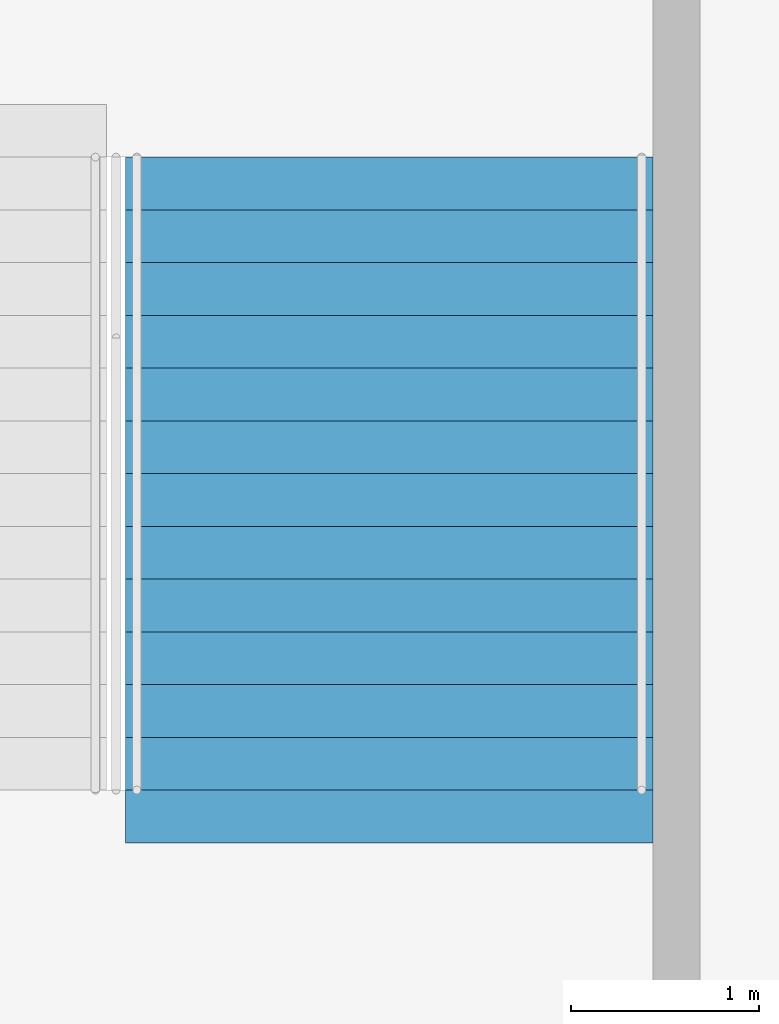
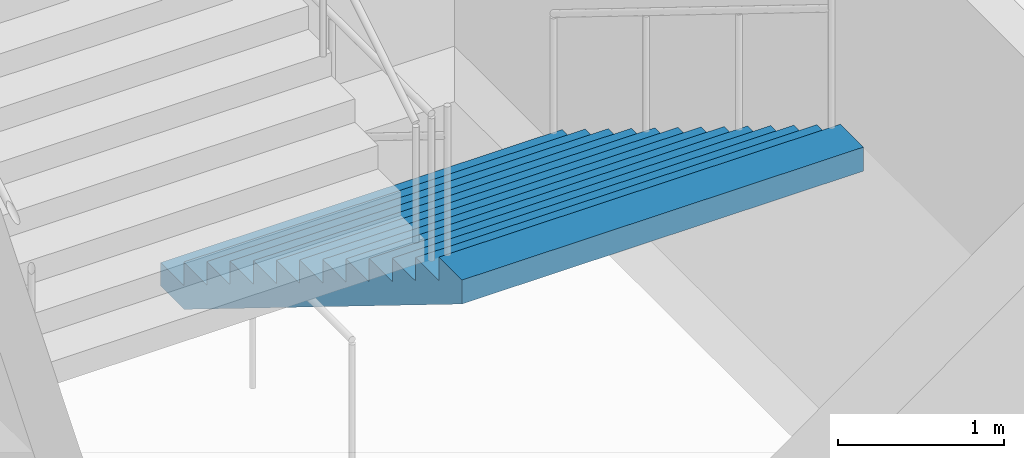
# One storey, part 62 of 175: 1 stair flight, 1 element without a shape of its own.
"""IFC4 building model written with IfcOpenShell, lengths in metres."""

from ifc_helpers import new_model, si_unit, direction, frame, origin, place, context, subcontext, project, spatial, faceted_brep, material, type_object, element, aggregate, save


model = new_model("IFC4")

# Units and contexts
model_context = context("Model", 3, precision=1e-05, world=origin(), true_north=direction((0.0, 1.0)))
body_context = subcontext(model_context, "Body", "Model", "MODEL_VIEW")
ifc_project = project(units=[si_unit("LENGTHUNIT", "METRE"), si_unit("AREAUNIT", "SQUARE_METRE"), si_unit("VOLUMEUNIT", "CUBIC_METRE"), si_unit("PLANEANGLEUNIT", "RADIAN"), si_unit("MASSUNIT", "GRAM", prefix="KILO")], contexts=[model_context])

# Site, building, storey
site_placement = place(None, origin())
site = spatial("IfcSite", under=ifc_project, at=site_placement, CompositionType="ELEMENT")
building_placement = place(site_placement, origin())
building = spatial("IfcBuilding", under=site, at=building_placement, Name="Ogive Plaza Stadium", CompositionType="ELEMENT")
storey_placement = place(building_placement, origin())
storey = spatial("IfcBuildingStorey", under=building, at=storey_placement, Name="L00", CompositionType="ELEMENT", Elevation=0.0)

# Stair, stair flight
ifc_material_1 = material(Name="Concrete C40/50", Category="concrete")
stair_type = type_object("IfcStairType", Name="Exit stair", PredefinedType="STRAIGHT_RUN_STAIR", material=ifc_material_1)
stair_placement = place(storey_placement, origin())
stair = element("IfcStair", 1, at=stair_placement, inside=storey, type_object=stair_type, Name="Exit stair ST16B L00 to L01", PredefinedType="STRAIGHT_RUN_STAIR")
ifc_material_2 = material(Name="Concrete C40/50", Category="concrete")
stair_flight_type = type_object("IfcStairFlightType", Name="Exit stair flight", PredefinedType="STRAIGHT", material=ifc_material_2)
stair_flight_placement = place(storey_placement, frame((-15.97509765625, -94.85009765625, 0.0), z_axis=(0.0, 0.0, 1.0), x_axis=(0.0, -1.0, 0.0)))
stair_flight = element("IfcStairFlight", 2, at=stair_flight_placement, type_object=stair_flight_type, Name="ST16B flight 1", NumberOfRisers=13, NumberOfTreads=12, PredefinedType="STRAIGHT", RiserHeight=0.173076923, TreadLength=0.28, context=body_context, shape_type="Brep", body=[
    faceted_brep([(0.28515625, -1.39990234375, 0.0), (3.639892578125, -1.39990234375, 2.07373046875), (3.639892578125, -1.39990234375, 2.25), (3.360107421875, -1.39990234375, 2.25), (3.360107421875, -1.39990234375, 2.076904296875), (3.080078125, -1.39990234375, 2.076904296875), (3.080078125, -1.39990234375, 1.90380859375), (2.800048828125, -1.39990234375, 1.90380859375), (2.800048828125, -1.39990234375, 1.730712890625), (2.52001953125, -1.39990234375, 1.730712890625), (2.52001953125, -1.39990234375, 1.5576171875), (2.239990234375, -1.39990234375, 1.5576171875), (2.239990234375, -1.39990234375, 1.384521484375), (1.9599609375, -1.39990234375, 1.384521484375), (1.9599609375, -1.39990234375, 1.21142578125), (1.679931640625, -1.39990234375, 1.21142578125), (1.679931640625, -1.39990234375, 1.03857421875), (1.39990234375, -1.39990234375, 1.03857421875), (1.39990234375, -1.39990234375, 0.865478515625), (1.1201171875, -1.39990234375, 0.865478515625), (1.1201171875, -1.39990234375, 0.6923828125), (0.840087890625, -1.39990234375, 0.6923828125), (0.840087890625, -1.39990234375, 0.519287109375), (0.56005859375, -1.39990234375, 0.519287109375), (0.56005859375, -1.39990234375, 0.34619140625), (0.280029296875, -1.39990234375, 0.34619140625), (0.280029296875, -1.39990234375, 0.173095703125), (0.0, -1.39990234375, 0.173095703125), (0.0, -1.39990234375, 0.0), (0.0, 1.39990234375, 0.0), (0.0, 1.39990234375, 0.173095703125), (0.280029296875, 1.39990234375, 0.173095703125), (0.280029296875, 1.39990234375, 0.34619140625), (0.56005859375, 1.39990234375, 0.34619140625), (0.56005859375, 1.39990234375, 0.519287109375), (0.840087890625, 1.39990234375, 0.519287109375), (0.840087890625, 1.39990234375, 0.6923828125), (1.1201171875, 1.39990234375, 0.6923828125), (1.1201171875, 1.39990234375, 0.865478515625), (1.39990234375, 1.39990234375, 0.865478515625), (1.39990234375, 1.39990234375, 1.03857421875), (1.679931640625, 1.39990234375, 1.03857421875), (1.679931640625, 1.39990234375, 1.21142578125), (1.9599609375, 1.39990234375, 1.21142578125), (1.9599609375, 1.39990234375, 1.384521484375), (2.239990234375, 1.39990234375, 1.384521484375), (2.239990234375, 1.39990234375, 1.5576171875), (2.52001953125, 1.39990234375, 1.5576171875), (2.52001953125, 1.39990234375, 1.730712890625), (2.800048828125, 1.39990234375, 1.730712890625), (2.800048828125, 1.39990234375, 1.90380859375), (3.080078125, 1.39990234375, 1.90380859375), (3.080078125, 1.39990234375, 2.076904296875), (3.360107421875, 1.39990234375, 2.076904296875), (3.360107421875, 1.39990234375, 2.25), (3.639892578125, 1.39990234375, 2.25), (3.639892578125, 1.39990234375, 2.07373046875), (0.28515625, 1.39990234375, 0.0), (0.28515625, -1.0888671875, 0.0), (3.639892578125, -1.0888671875, 2.07373046875), (0.28515625, -0.77783203125, 0.0), (3.639892578125, -0.77783203125, 2.07373046875), (0.28515625, -0.466796875, 0.0), (3.639892578125, -0.466796875, 2.07373046875), (0.28515625, -0.155517578125, 0.0), (3.639892578125, -0.155517578125, 2.07373046875), (0.28515625, 0.155517578125, 0.0), (3.639892578125, 0.155517578125, 2.07373046875), (0.28515625, 0.466796875, 0.0), (3.639892578125, 0.466796875, 2.07373046875), (0.28515625, 0.77783203125, 0.0), (3.639892578125, 0.77783203125, 2.07373046875), (0.28515625, 1.0888671875, 0.0), (3.639892578125, 1.0888671875, 2.07373046875), (3.639892578125, -1.0888671875, 2.25), (3.639892578125, -0.77783203125, 2.25), (3.639892578125, -0.466796875, 2.25), (3.639892578125, -0.155517578125, 2.25), (3.639892578125, 0.155517578125, 2.25), (3.639892578125, 0.466796875, 2.25), (3.639892578125, 0.77783203125, 2.25), (3.639892578125, 1.0888671875, 2.25), (3.360107421875, -1.0888671875, 2.25), (3.360107421875, -0.77783203125, 2.25), (3.360107421875, -0.466796875, 2.25), (3.360107421875, -0.155517578125, 2.25), (3.360107421875, 0.155517578125, 2.25), (3.360107421875, 0.466796875, 2.25), (3.360107421875, 0.77783203125, 2.25), (3.360107421875, 1.0888671875, 2.25), (3.360107421875, -1.0888671875, 2.076904296875), (3.360107421875, -0.77783203125, 2.076904296875), (3.360107421875, -0.466796875, 2.076904296875), (3.360107421875, -0.155517578125, 2.076904296875), (3.360107421875, 0.155517578125, 2.076904296875), (3.360107421875, 0.466796875, 2.076904296875), (3.360107421875, 0.77783203125, 2.076904296875), (3.360107421875, 1.0888671875, 2.076904296875), (3.080078125, -1.0888671875, 2.076904296875), (3.080078125, -0.77783203125, 2.076904296875), (3.080078125, -0.466796875, 2.076904296875), (3.080078125, -0.155517578125, 2.076904296875), (3.080078125, 0.155517578125, 2.076904296875), (3.080078125, 0.466796875, 2.076904296875), (3.080078125, 0.77783203125, 2.076904296875), (3.080078125, 1.0888671875, 2.076904296875), (3.080078125, -1.0888671875, 1.90380859375), (3.080078125, -0.77783203125, 1.90380859375), (3.080078125, -0.466796875, 1.90380859375), (3.080078125, -0.155517578125, 1.90380859375), (3.080078125, 0.155517578125, 1.90380859375), (3.080078125, 0.466796875, 1.90380859375), (3.080078125, 0.77783203125, 1.90380859375), (3.080078125, 1.0888671875, 1.90380859375), (2.800048828125, -1.0888671875, 1.90380859375), (2.800048828125, -0.77783203125, 1.90380859375), (2.800048828125, -0.466796875, 1.90380859375), (2.800048828125, -0.155517578125, 1.90380859375), (2.800048828125, 0.155517578125, 1.90380859375), (2.800048828125, 0.466796875, 1.90380859375), (2.800048828125, 0.77783203125, 1.90380859375), (2.800048828125, 1.0888671875, 1.90380859375), (2.800048828125, -1.0888671875, 1.730712890625), (2.800048828125, -0.77783203125, 1.730712890625), (2.800048828125, -0.466796875, 1.730712890625), (2.800048828125, -0.155517578125, 1.730712890625), (2.800048828125, 0.155517578125, 1.730712890625), (2.800048828125, 0.466796875, 1.730712890625), (2.800048828125, 0.77783203125, 1.730712890625), (2.800048828125, 1.0888671875, 1.730712890625), (2.52001953125, -1.0888671875, 1.730712890625), (2.52001953125, -0.77783203125, 1.730712890625), (2.52001953125, -0.466796875, 1.730712890625), (2.52001953125, -0.155517578125, 1.730712890625), (2.52001953125, 0.155517578125, 1.730712890625), (2.52001953125, 0.466796875, 1.730712890625), (2.52001953125, 0.77783203125, 1.730712890625), (2.52001953125, 1.0888671875, 1.730712890625), (2.52001953125, -1.0888671875, 1.5576171875), (2.52001953125, -0.77783203125, 1.5576171875), (2.52001953125, -0.466796875, 1.5576171875), (2.52001953125, -0.155517578125, 1.5576171875), (2.52001953125, 0.155517578125, 1.5576171875), (2.52001953125, 0.466796875, 1.5576171875), (2.52001953125, 0.77783203125, 1.5576171875), (2.52001953125, 1.0888671875, 1.5576171875), (2.239990234375, -1.0888671875, 1.5576171875), (2.239990234375, -0.77783203125, 1.5576171875), (2.239990234375, -0.466796875, 1.5576171875), (2.239990234375, -0.155517578125, 1.5576171875), (2.239990234375, 0.155517578125, 1.5576171875), (2.239990234375, 0.466796875, 1.5576171875), (2.239990234375, 0.77783203125, 1.5576171875), (2.239990234375, 1.0888671875, 1.5576171875), (2.239990234375, -1.0888671875, 1.384521484375), (2.239990234375, -0.77783203125, 1.384521484375), (2.239990234375, -0.466796875, 1.384521484375), (2.239990234375, -0.155517578125, 1.384521484375), (2.239990234375, 0.155517578125, 1.384521484375), (2.239990234375, 0.466796875, 1.384521484375), (2.239990234375, 0.77783203125, 1.384521484375), (2.239990234375, 1.0888671875, 1.384521484375), (1.9599609375, -1.0888671875, 1.384521484375), (1.9599609375, -0.77783203125, 1.384521484375), (1.9599609375, -0.466796875, 1.384521484375), (1.9599609375, -0.155517578125, 1.384521484375), (1.9599609375, 0.155517578125, 1.384521484375), (1.9599609375, 0.466796875, 1.384521484375), (1.9599609375, 0.77783203125, 1.384521484375), (1.9599609375, 1.0888671875, 1.384521484375), (1.9599609375, -1.0888671875, 1.21142578125), (1.9599609375, -0.77783203125, 1.21142578125), (1.9599609375, -0.466796875, 1.21142578125), (1.9599609375, -0.155517578125, 1.21142578125), (1.9599609375, 0.155517578125, 1.21142578125), (1.9599609375, 0.466796875, 1.21142578125), (1.9599609375, 0.77783203125, 1.21142578125), (1.9599609375, 1.0888671875, 1.21142578125), (1.679931640625, -1.0888671875, 1.21142578125), (1.679931640625, -0.77783203125, 1.21142578125), (1.679931640625, -0.466796875, 1.21142578125), (1.679931640625, -0.155517578125, 1.21142578125), (1.679931640625, 0.155517578125, 1.21142578125), (1.679931640625, 0.466796875, 1.21142578125), (1.679931640625, 0.77783203125, 1.21142578125), (1.679931640625, 1.0888671875, 1.21142578125), (1.679931640625, -1.0888671875, 1.03857421875), (1.679931640625, -0.77783203125, 1.03857421875), (1.679931640625, -0.466796875, 1.03857421875), (1.679931640625, -0.155517578125, 1.03857421875), (1.679931640625, 0.155517578125, 1.03857421875), (1.679931640625, 0.466796875, 1.03857421875), (1.679931640625, 0.77783203125, 1.03857421875), (1.679931640625, 1.0888671875, 1.03857421875), (1.39990234375, -1.0888671875, 1.03857421875), (1.39990234375, -0.77783203125, 1.03857421875), (1.39990234375, -0.466796875, 1.03857421875), (1.39990234375, -0.155517578125, 1.03857421875), (1.39990234375, 0.155517578125, 1.03857421875), (1.39990234375, 0.466796875, 1.03857421875), (1.39990234375, 0.77783203125, 1.03857421875), (1.39990234375, 1.0888671875, 1.03857421875), (1.39990234375, -1.0888671875, 0.865478515625), (1.39990234375, -0.77783203125, 0.865478515625), (1.39990234375, -0.466796875, 0.865478515625), (1.39990234375, -0.155517578125, 0.865478515625), (1.39990234375, 0.155517578125, 0.865478515625), (1.39990234375, 0.466796875, 0.865478515625), (1.39990234375, 0.77783203125, 0.865478515625), (1.39990234375, 1.0888671875, 0.865478515625), (1.1201171875, -1.0888671875, 0.865478515625), (1.1201171875, -0.77783203125, 0.865478515625), (1.1201171875, -0.466796875, 0.865478515625), (1.1201171875, -0.155517578125, 0.865478515625), (1.1201171875, 0.155517578125, 0.865478515625), (1.1201171875, 0.466796875, 0.865478515625), (1.1201171875, 0.77783203125, 0.865478515625), (1.1201171875, 1.0888671875, 0.865478515625), (1.1201171875, -1.0888671875, 0.6923828125), (1.1201171875, -0.77783203125, 0.6923828125), (1.1201171875, -0.466796875, 0.6923828125), (1.1201171875, -0.155517578125, 0.6923828125), (1.1201171875, 0.155517578125, 0.6923828125), (1.1201171875, 0.466796875, 0.6923828125), (1.1201171875, 0.77783203125, 0.6923828125), (1.1201171875, 1.0888671875, 0.6923828125), (0.840087890625, -1.0888671875, 0.6923828125), (0.840087890625, -0.77783203125, 0.6923828125), (0.840087890625, -0.466796875, 0.6923828125), (0.840087890625, -0.155517578125, 0.6923828125), (0.840087890625, 0.155517578125, 0.6923828125), (0.840087890625, 0.466796875, 0.6923828125), (0.840087890625, 0.77783203125, 0.6923828125), (0.840087890625, 1.0888671875, 0.6923828125), (0.840087890625, -1.0888671875, 0.519287109375), (0.840087890625, -0.77783203125, 0.519287109375), (0.840087890625, -0.466796875, 0.519287109375), (0.840087890625, -0.155517578125, 0.519287109375), (0.840087890625, 0.155517578125, 0.519287109375), (0.840087890625, 0.466796875, 0.519287109375), (0.840087890625, 0.77783203125, 0.519287109375), (0.840087890625, 1.0888671875, 0.519287109375), (0.56005859375, -1.0888671875, 0.519287109375), (0.56005859375, -0.77783203125, 0.519287109375), (0.56005859375, -0.466796875, 0.519287109375), (0.56005859375, -0.155517578125, 0.519287109375), (0.56005859375, 0.155517578125, 0.519287109375), (0.56005859375, 0.466796875, 0.519287109375), (0.56005859375, 0.77783203125, 0.519287109375), (0.56005859375, 1.0888671875, 0.519287109375), (0.56005859375, -1.0888671875, 0.34619140625), (0.56005859375, -0.77783203125, 0.34619140625), (0.56005859375, -0.466796875, 0.34619140625), (0.56005859375, -0.155517578125, 0.34619140625), (0.56005859375, 0.155517578125, 0.34619140625), (0.56005859375, 0.466796875, 0.34619140625), (0.56005859375, 0.77783203125, 0.34619140625), (0.56005859375, 1.0888671875, 0.34619140625), (0.280029296875, -1.0888671875, 0.34619140625), (0.280029296875, -0.77783203125, 0.34619140625), (0.280029296875, -0.466796875, 0.34619140625), (0.280029296875, -0.155517578125, 0.34619140625), (0.280029296875, 0.155517578125, 0.34619140625), (0.280029296875, 0.466796875, 0.34619140625), (0.280029296875, 0.77783203125, 0.34619140625), (0.280029296875, 1.0888671875, 0.34619140625), (0.280029296875, -1.0888671875, 0.173095703125), (0.280029296875, -0.77783203125, 0.173095703125), (0.280029296875, -0.466796875, 0.173095703125), (0.280029296875, -0.155517578125, 0.173095703125), (0.280029296875, 0.155517578125, 0.173095703125), (0.280029296875, 0.466796875, 0.173095703125), (0.280029296875, 0.77783203125, 0.173095703125), (0.280029296875, 1.0888671875, 0.173095703125), (0.0, -1.0888671875, 0.173095703125), (0.0, -0.77783203125, 0.173095703125), (0.0, -0.466796875, 0.173095703125), (0.0, -0.155517578125, 0.173095703125), (0.0, 0.155517578125, 0.173095703125), (0.0, 0.466796875, 0.173095703125), (0.0, 0.77783203125, 0.173095703125), (0.0, 1.0888671875, 0.173095703125), (0.0, -1.0888671875, 0.0), (0.0, -0.77783203125, 0.0), (0.0, -0.466796875, 0.0), (0.0, -0.155517578125, 0.0), (0.0, 0.155517578125, 0.0), (0.0, 0.466796875, 0.0), (0.0, 0.77783203125, 0.0), (0.0, 1.0888671875, 0.0)], [[[0, 1, 2, 3, 4, 5, 6, 7, 8, 9, 10, 11, 12, 13, 14, 15, 16, 17, 18, 19, 20, 21, 22, 23, 24, 25, 26, 27, 28]], [[29, 30, 31, 32, 33, 34, 35, 36, 37, 38, 39, 40, 41, 42, 43, 44, 45, 46, 47, 48, 49, 50, 51, 52, 53, 54, 55, 56, 57]], [[0, 58, 59, 1]], [[58, 60, 61, 59]], [[60, 62, 63, 61]], [[62, 64, 65, 63]], [[64, 66, 67, 65]], [[66, 68, 69, 67]], [[68, 70, 71, 69]], [[70, 72, 73, 71]], [[72, 57, 56, 73]], [[1, 59, 74, 2]], [[59, 61, 75, 74]], [[61, 63, 76, 75]], [[63, 65, 77, 76]], [[65, 67, 78, 77]], [[67, 69, 79, 78]], [[69, 71, 80, 79]], [[71, 73, 81, 80]], [[73, 56, 55, 81]], [[2, 74, 82, 3]], [[74, 75, 83, 82]], [[75, 76, 84, 83]], [[76, 77, 85, 84]], [[77, 78, 86, 85]], [[78, 79, 87, 86]], [[79, 80, 88, 87]], [[80, 81, 89, 88]], [[81, 55, 54, 89]], [[3, 82, 90, 4]], [[82, 83, 91, 90]], [[83, 84, 92, 91]], [[84, 85, 93, 92]], [[85, 86, 94, 93]], [[86, 87, 95, 94]], [[87, 88, 96, 95]], [[88, 89, 97, 96]], [[89, 54, 53, 97]], [[4, 90, 98, 5]], [[90, 91, 99, 98]], [[91, 92, 100, 99]], [[92, 93, 101, 100]], [[93, 94, 102, 101]], [[94, 95, 103, 102]], [[95, 96, 104, 103]], [[96, 97, 105, 104]], [[97, 53, 52, 105]], [[5, 98, 106, 6]], [[98, 99, 107, 106]], [[99, 100, 108, 107]], [[100, 101, 109, 108]], [[101, 102, 110, 109]], [[102, 103, 111, 110]], [[103, 104, 112, 111]], [[104, 105, 113, 112]], [[105, 52, 51, 113]], [[6, 106, 114, 7]], [[106, 107, 115, 114]], [[107, 108, 116, 115]], [[108, 109, 117, 116]], [[109, 110, 118, 117]], [[110, 111, 119, 118]], [[111, 112, 120, 119]], [[112, 113, 121, 120]], [[113, 51, 50, 121]], [[7, 114, 122, 8]], [[114, 115, 123, 122]], [[115, 116, 124, 123]], [[116, 117, 125, 124]], [[117, 118, 126, 125]], [[118, 119, 127, 126]], [[119, 120, 128, 127]], [[120, 121, 129, 128]], [[121, 50, 49, 129]], [[8, 122, 130, 9]], [[122, 123, 131, 130]], [[123, 124, 132, 131]], [[124, 125, 133, 132]], [[125, 126, 134, 133]], [[126, 127, 135, 134]], [[127, 128, 136, 135]], [[128, 129, 137, 136]], [[129, 49, 48, 137]], [[9, 130, 138, 10]], [[130, 131, 139, 138]], [[131, 132, 140, 139]], [[132, 133, 141, 140]], [[133, 134, 142, 141]], [[134, 135, 143, 142]], [[135, 136, 144, 143]], [[136, 137, 145, 144]], [[137, 48, 47, 145]], [[10, 138, 146, 11]], [[138, 139, 147, 146]], [[139, 140, 148, 147]], [[140, 141, 149, 148]], [[141, 142, 150, 149]], [[142, 143, 151, 150]], [[143, 144, 152, 151]], [[144, 145, 153, 152]], [[145, 47, 46, 153]], [[11, 146, 154, 12]], [[146, 147, 155, 154]], [[147, 148, 156, 155]], [[148, 149, 157, 156]], [[149, 150, 158, 157]], [[150, 151, 159, 158]], [[151, 152, 160, 159]], [[152, 153, 161, 160]], [[153, 46, 45, 161]], [[12, 154, 162, 13]], [[154, 155, 163, 162]], [[155, 156, 164, 163]], [[156, 157, 165, 164]], [[157, 158, 166, 165]], [[158, 159, 167, 166]], [[159, 160, 168, 167]], [[160, 161, 169, 168]], [[161, 45, 44, 169]], [[13, 162, 170, 14]], [[162, 163, 171, 170]], [[163, 164, 172, 171]], [[164, 165, 173, 172]], [[165, 166, 174, 173]], [[166, 167, 175, 174]], [[167, 168, 176, 175]], [[168, 169, 177, 176]], [[169, 44, 43, 177]], [[14, 170, 178, 15]], [[170, 171, 179, 178]], [[171, 172, 180, 179]], [[172, 173, 181, 180]], [[173, 174, 182, 181]], [[174, 175, 183, 182]], [[175, 176, 184, 183]], [[176, 177, 185, 184]], [[177, 43, 42, 185]], [[15, 178, 186, 16]], [[178, 179, 187, 186]], [[179, 180, 188, 187]], [[180, 181, 189, 188]], [[181, 182, 190, 189]], [[182, 183, 191, 190]], [[183, 184, 192, 191]], [[184, 185, 193, 192]], [[185, 42, 41, 193]], [[16, 186, 194, 17]], [[186, 187, 195, 194]], [[187, 188, 196, 195]], [[188, 189, 197, 196]], [[189, 190, 198, 197]], [[190, 191, 199, 198]], [[191, 192, 200, 199]], [[192, 193, 201, 200]], [[193, 41, 40, 201]], [[17, 194, 202, 18]], [[194, 195, 203, 202]], [[195, 196, 204, 203]], [[196, 197, 205, 204]], [[197, 198, 206, 205]], [[198, 199, 207, 206]], [[199, 200, 208, 207]], [[200, 201, 209, 208]], [[201, 40, 39, 209]], [[18, 202, 210, 19]], [[202, 203, 211, 210]], [[203, 204, 212, 211]], [[204, 205, 213, 212]], [[205, 206, 214, 213]], [[206, 207, 215, 214]], [[207, 208, 216, 215]], [[208, 209, 217, 216]], [[209, 39, 38, 217]], [[19, 210, 218, 20]], [[210, 211, 219, 218]], [[211, 212, 220, 219]], [[212, 213, 221, 220]], [[213, 214, 222, 221]], [[214, 215, 223, 222]], [[215, 216, 224, 223]], [[216, 217, 225, 224]], [[217, 38, 37, 225]], [[20, 218, 226, 21]], [[218, 219, 227, 226]], [[219, 220, 228, 227]], [[220, 221, 229, 228]], [[221, 222, 230, 229]], [[222, 223, 231, 230]], [[223, 224, 232, 231]], [[224, 225, 233, 232]], [[225, 37, 36, 233]], [[21, 226, 234, 22]], [[226, 227, 235, 234]], [[227, 228, 236, 235]], [[228, 229, 237, 236]], [[229, 230, 238, 237]], [[230, 231, 239, 238]], [[231, 232, 240, 239]], [[232, 233, 241, 240]], [[233, 36, 35, 241]], [[22, 234, 242, 23]], [[234, 235, 243, 242]], [[235, 236, 244, 243]], [[236, 237, 245, 244]], [[237, 238, 246, 245]], [[238, 239, 247, 246]], [[239, 240, 248, 247]], [[240, 241, 249, 248]], [[241, 35, 34, 249]], [[23, 242, 250, 24]], [[242, 243, 251, 250]], [[243, 244, 252, 251]], [[244, 245, 253, 252]], [[245, 246, 254, 253]], [[246, 247, 255, 254]], [[247, 248, 256, 255]], [[248, 249, 257, 256]], [[249, 34, 33, 257]], [[24, 250, 258, 25]], [[250, 251, 259, 258]], [[251, 252, 260, 259]], [[252, 253, 261, 260]], [[253, 254, 262, 261]], [[254, 255, 263, 262]], [[255, 256, 264, 263]], [[256, 257, 265, 264]], [[257, 33, 32, 265]], [[25, 258, 266, 26]], [[258, 259, 267, 266]], [[259, 260, 268, 267]], [[260, 261, 269, 268]], [[261, 262, 270, 269]], [[262, 263, 271, 270]], [[263, 264, 272, 271]], [[264, 265, 273, 272]], [[265, 32, 31, 273]], [[26, 266, 274, 27]], [[266, 267, 275, 274]], [[267, 268, 276, 275]], [[268, 269, 277, 276]], [[269, 270, 278, 277]], [[270, 271, 279, 278]], [[271, 272, 280, 279]], [[272, 273, 281, 280]], [[273, 31, 30, 281]], [[27, 274, 282, 28]], [[274, 275, 283, 282]], [[275, 276, 284, 283]], [[276, 277, 285, 284]], [[277, 278, 286, 285]], [[278, 279, 287, 286]], [[279, 280, 288, 287]], [[280, 281, 289, 288]], [[281, 30, 29, 289]], [[28, 282, 58, 0]], [[282, 283, 60, 58]], [[283, 284, 62, 60]], [[284, 285, 64, 62]], [[285, 286, 66, 64]], [[286, 287, 68, 66]], [[287, 288, 70, 68]], [[288, 289, 72, 70]], [[289, 29, 57, 72]]]),
])
aggregate(stair, [stair_flight])

save(model, "model.ifc")
